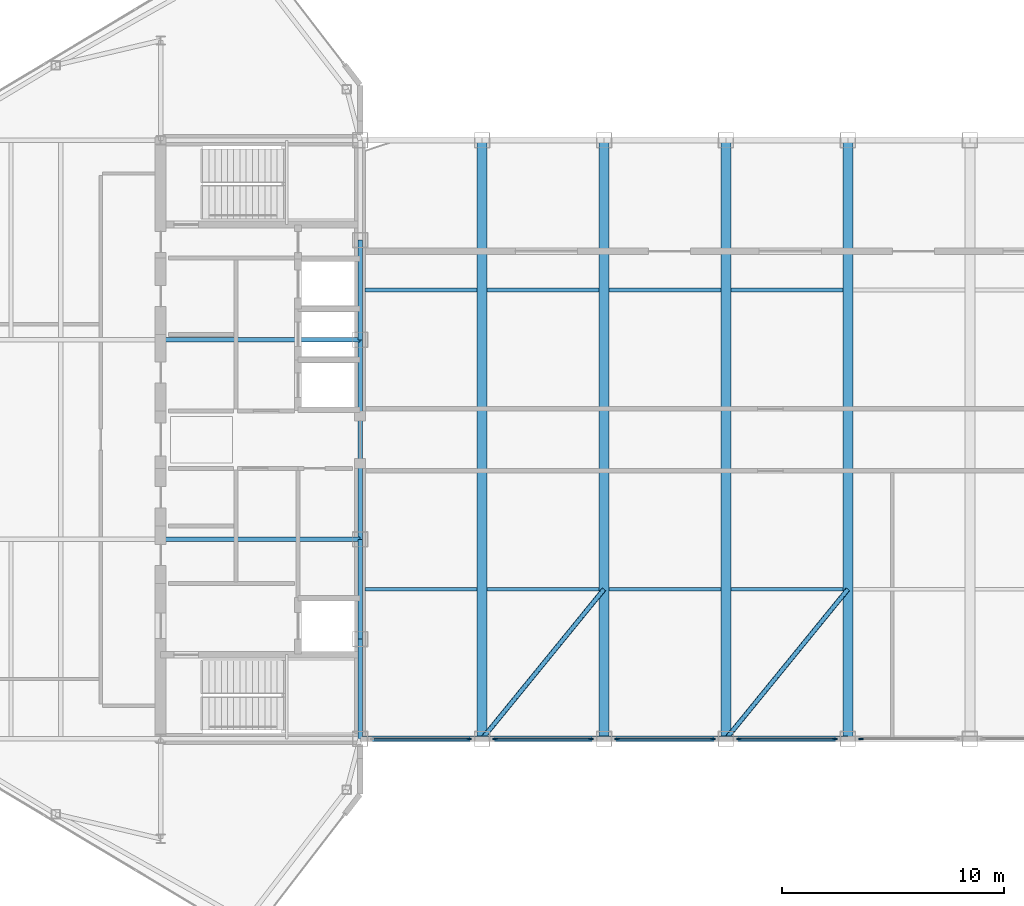
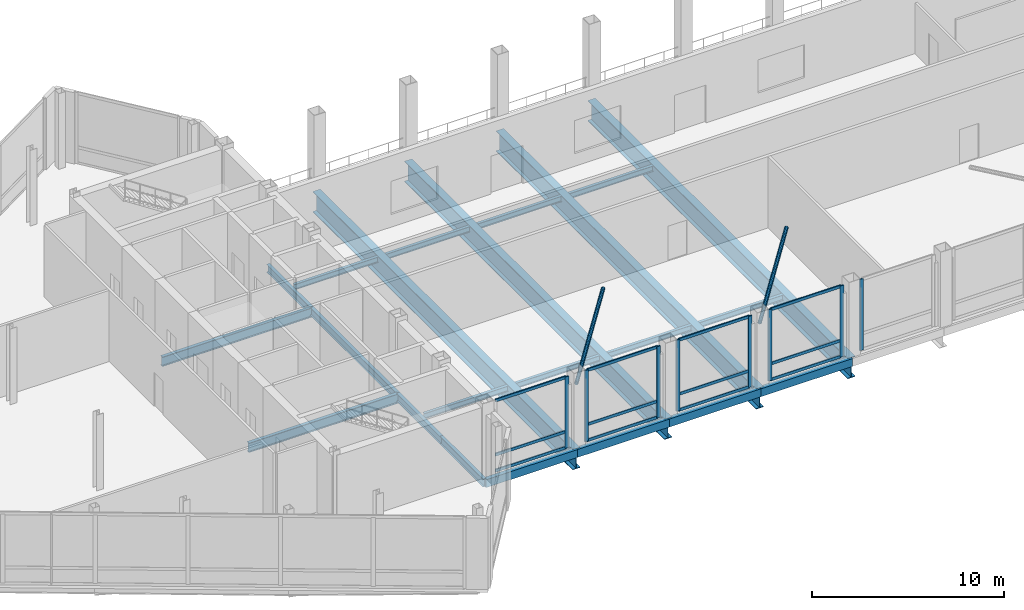
# One storey, part 10 of 28: 22 beams, 22 members, 5 elements without a shape of their own.
"""IFC4 building model written with IfcOpenShell, lengths in metres."""

from ifc_helpers import new_model, si_unit, direction, frame, origin, origin_2d, place, context, subcontext, project, spatial, rectangle, hollow_rectangle, hollow_circle, i_section, extrude, source, transform, mapped, material, layer, layer_set, material_profile, profile_set, type_object, type_shapes, element, aggregate, save


model = new_model("IFC4")

# Units and contexts
model_context = context("Model", 3, precision=1e-05, world=origin(), true_north=direction((0.0, 1.0)))
body_context = subcontext(model_context, "Body", "Model", "MODEL_VIEW")
ifc_project = project(units=[si_unit("LENGTHUNIT", "METRE"), si_unit("AREAUNIT", "SQUARE_METRE"), si_unit("VOLUMEUNIT", "CUBIC_METRE"), si_unit("PLANEANGLEUNIT", "RADIAN"), si_unit("MASSUNIT", "GRAM", prefix="KILO")], contexts=[model_context])

# Site, building, storey
site_placement = place(None, origin())
site = spatial("IfcSite", under=ifc_project, at=site_placement, CompositionType="ELEMENT")
building_placement = place(site_placement, origin())
building = spatial("IfcBuilding", under=site, at=building_placement, Name="Seokmaru Belvedere", CompositionType="ELEMENT")
storey_placement = place(building_placement, frame((0.0, 0.0, 274.199951171875)))
storey = spatial("IfcBuildingStorey", under=building, at=storey_placement, Name="L72", CompositionType="ELEMENT", Elevation=274.199951171875)

# Beams
ifc_material_1 = material(Name="Steel SM355 (355 MPa)", Category="steel")
ifc_material_profile_1 = material_profile(ifc_material_1, i_section(OverallWidth=0.199951171875, OverallDepth=0.5, WebThickness=0.010009765625, FlangeThickness=0.01611328125, at=origin_2d()), Name="H-500x200x10x16")
ifc_profile_set_1 = profile_set([ifc_material_profile_1], Name="Steel SM355 (355 MPa)")
beam_type_1 = type_object("IfcBeamType", Name="Perimeter Spandrel Beam H-500", PredefinedType="SPANDREL", material=ifc_profile_set_1)
shared_shape_1 = source(origin(), body_context, "Body", "SweptSolid", [
    extrude(i_section(OverallWidth=0.199951171875, OverallDepth=0.5, WebThickness=0.010009765625, FlangeThickness=0.01611328125, at=origin_2d()), origin(), (0.0, 0.0, 1.0), 4.5),
])
for number, where, z_axis, x_axis, name in (
    (1, (-27.5, -13.5, -0.510009765625), (0.0, 1.0, 0.0), (-1.0, 0.0, 0.0), "L72 W Portal Spine Spandrel 1"),
    (2, (-27.5, -9.0, -0.510009765625), (0.0, 1.0, 0.0), (-1.0, 0.0, 0.0), "L72 W Portal Spine Spandrel 2"),
    (3, (-27.5, 4.5, -0.510009765625), (0.0, 1.0, 0.0), (-1.0, 0.0, 0.0), "L72 W Portal Spine Spandrel 4"),
):
    element("IfcBeam", number, at=place(storey_placement, frame(where, z_axis=z_axis, x_axis=x_axis)), inside=storey, type_object=beam_type_1, Name=name, PredefinedType="SPANDREL", context=body_context, shape_type="MappedRepresentation", body=[
        mapped(shared_shape_1, transform((0.0, 0.0, 0.0), scale=1.0)),
    ])
shared_shape_2 = source(origin(), body_context, "Body", "SweptSolid", [
    extrude(i_section(OverallWidth=0.199951171875, OverallDepth=0.5, WebThickness=0.010009765625, FlangeThickness=0.01611328125, at=origin_2d()), origin(), (0.0, 0.0, 1.0), 9.0),
])
type_shapes(beam_type_1, [shared_shape_1, shared_shape_2])
beam_placement = place(storey_placement, frame((-27.5, -4.5, -0.510009765625), z_axis=(0.0, 1.0, 0.0), x_axis=(-1.0, 0.0, 0.0)))
element("IfcBeam", 4, at=beam_placement, inside=storey, type_object=beam_type_1, Name="L72 W Portal Spine Spandrel 3", PredefinedType="SPANDREL", context=body_context, shape_type="MappedRepresentation", body=[
    mapped(shared_shape_2, transform((0.0, 0.0, 0.0), scale=1.0)),
])
ifc_material_profile_2 = material_profile(ifc_material_1, i_section(OverallWidth=0.199951171875, OverallDepth=0.60009765625, WebThickness=0.010986328125, FlangeThickness=0.01708984375, at=origin_2d()), Name="H-600x200x11x17")
ifc_profile_set_2 = profile_set([ifc_material_profile_2], Name="Steel SM355 (355 MPa)")
beam_type_2 = type_object("IfcBeamType", Name="Primary Floor Girder H-600", PredefinedType="BEAM", material=ifc_profile_set_2)
shared_shape_3 = source(origin(), body_context, "Body", "SweptSolid", [
    extrude(i_section(OverallWidth=0.199951171875, OverallDepth=0.60009765625, WebThickness=0.010986328125, FlangeThickness=0.01708984375, at=origin_2d()), origin(), (0.0, 0.0, 1.0), 9.0),
])
type_shapes(beam_type_2, [shared_shape_3])
for number, where, z_axis, x_axis, name in (
    (5, (-36.5, -4.5, -0.56005859375), (1.0, 0.0, 0.0), (0.0, 1.0, 0.0), "L72 W Core Tie Girder 2"),
    (6, (-36.5, 4.5, -0.56005859375), (1.0, 0.0, 0.0), (0.0, 1.0, 0.0), "L72 W Core Tie Girder 3"),
):
    element("IfcBeam", number, at=place(storey_placement, frame(where, z_axis=z_axis, x_axis=x_axis)), inside=storey, type_object=beam_type_2, Name=name, PredefinedType="BEAM", context=body_context, shape_type="MappedRepresentation", body=[
        mapped(shared_shape_3, transform((0.0, 0.0, 0.0), scale=1.0)),
    ])
ifc_material_profile_3 = material_profile(ifc_material_1, hollow_rectangle(XDim=0.25, YDim=0.5, WallThickness=0.013916015625, at=origin_2d()), Name="RHS-500x250x14")
ifc_profile_set_3 = profile_set([ifc_material_profile_3], Name="Steel SM355 (355 MPa)")
beam_type_3 = type_object("IfcBeamType", Name="Bridge Edge Spandrel RHS-500", PredefinedType="SPANDREL", material=ifc_profile_set_3)
shared_shape_4 = source(origin(), body_context, "Body", "SweptSolid", [
    extrude(hollow_rectangle(XDim=0.25, YDim=0.5, WallThickness=0.013916015625, at=origin_2d()), origin(), (0.0, 0.0, 1.0), 5.5),
])
type_shapes(beam_type_3, [shared_shape_4])
for number, where, z_axis, x_axis, name in (
    (7, (-27.5, -13.5, -0.510009765625), (1.0, 0.0, 0.0), (0.0, 1.0, 0.0), "L72 Sky-Gate Bridge Edge Girder S-01"),
    (8, (-22.0, -13.5, -0.510009765625), (1.0, 0.0, 0.0), (0.0, 1.0, 0.0), "L72 Sky-Gate Bridge Edge Girder S-02"),
    (9, (-16.5, -13.5, -0.510009765625), (1.0, 0.0, 0.0), (0.0, 1.0, 0.0), "L72 Sky-Gate Bridge Edge Girder S-03"),
    (10, (-11.0, -13.5, -0.510009765625), (1.0, 0.0, 0.0), (0.0, 1.0, 0.0), "L72 Sky-Gate Bridge Edge Girder S-04"),
):
    element("IfcBeam", number, at=place(storey_placement, frame(where, z_axis=z_axis, x_axis=x_axis)), inside=storey, type_object=beam_type_3, Name=name, PredefinedType="SPANDREL", context=body_context, shape_type="MappedRepresentation", body=[
        mapped(shared_shape_4, transform((0.0, 0.0, 0.0), scale=1.0)),
    ])
ifc_material_2 = material(Name="Steel HSA650 (650 MPa)", Category="steel")
ifc_material_profile_4 = material_profile(ifc_material_2, i_section(OverallWidth=0.449951171875, OverallDepth=1.300048828125, WebThickness=0.02197265625, FlangeThickness=0.0380859375, at=origin_2d()), Name="BH-1300x450x22x38")
ifc_profile_set_4 = profile_set([ifc_material_profile_4], Name="Steel HSA650 (650 MPa)")
beam_type_4 = type_object("IfcBeamType", Name="Observatory Long-Span Roof Girder BH-1300", PredefinedType="BEAM", material=ifc_profile_set_4)
shared_shape_5 = source(origin(), body_context, "Body", "SweptSolid", [
    extrude(i_section(OverallWidth=0.449951171875, OverallDepth=1.300048828125, WebThickness=0.02197265625, FlangeThickness=0.0380859375, at=origin_2d()), origin(), (0.0, 0.0, 1.0), 27.0),
])
type_shapes(beam_type_4, [shared_shape_5])
for number, where, z_axis, x_axis, name in (
    (11, (-22.0, -13.5, -0.909912109375), (0.0, 1.0, 0.0), (-1.0, 0.0, 0.0), "L72 Sky-Gate Transverse Girder 01"),
    (12, (-16.5, -13.5, -0.909912109375), (0.0, 1.0, 0.0), (-1.0, 0.0, 0.0), "L72 Sky-Gate Transverse Girder 02"),
    (13, (-11.0, -13.5, -0.909912109375), (0.0, 1.0, 0.0), (-1.0, 0.0, 0.0), "L72 Sky-Gate Transverse Girder 03"),
    (14, (-5.5, -13.5, -0.909912109375), (0.0, 1.0, 0.0), (-1.0, 0.0, 0.0), "L72 Sky-Gate Transverse Girder 04"),
):
    element("IfcBeam", number, at=place(storey_placement, frame(where, z_axis=z_axis, x_axis=x_axis)), inside=storey, type_object=beam_type_4, Name=name, PredefinedType="BEAM", context=body_context, shape_type="MappedRepresentation", body=[
        mapped(shared_shape_5, transform((0.0, 0.0, 0.0), scale=1.0)),
    ])
ifc_material_profile_5 = material_profile(ifc_material_1, i_section(OverallWidth=0.175048828125, OverallDepth=0.35009765625, WebThickness=0.007080078125, FlangeThickness=0.010986328125, at=origin_2d()), Name="H-350x175x7x11")
ifc_profile_set_5 = profile_set([ifc_material_profile_5], Name="Steel SM355 (355 MPa)")
beam_type_5 = type_object("IfcBeamType", Name="Secondary Floor Joist H-300", PredefinedType="JOIST", material=ifc_profile_set_5)
shared_shape_6 = source(origin(), body_context, "Body", "SweptSolid", [
    extrude(i_section(OverallWidth=0.175048828125, OverallDepth=0.35009765625, WebThickness=0.007080078125, FlangeThickness=0.010986328125, at=origin_2d()), origin(), (0.0, 0.0, 1.0), 5.0400390625),
])
type_shapes(beam_type_5, [shared_shape_6])
for number, where, z_axis, x_axis, name in (
    (15, (-27.27001953125, -6.75, -0.43505859375), (1.0, 0.0, 0.0), (0.0, 1.0, 0.0), "L72 Sky-Gate Secondary Joist S-01"),
    (16, (-21.77001953125, -6.75, -0.43505859375), (1.0, 0.0, 0.0), (0.0, 1.0, 0.0), "L72 Sky-Gate Secondary Joist S-02"),
    (17, (-16.27001953125, -6.75, -0.43505859375), (1.0, 0.0, 0.0), (0.0, 1.0, 0.0), "L72 Sky-Gate Secondary Joist S-03"),
    (18, (-10.77001953125, -6.75, -0.43505859375), (1.0, 0.0, 0.0), (0.0, 1.0, 0.0), "L72 Sky-Gate Secondary Joist S-04"),
    (19, (-27.27001953125, 6.75, -0.43505859375), (1.0, 0.0, 0.0), (0.0, 1.0, 0.0), "L72 Sky-Gate Secondary Joist N-01"),
    (20, (-21.77001953125, 6.75, -0.43505859375), (1.0, 0.0, 0.0), (0.0, 1.0, 0.0), "L72 Sky-Gate Secondary Joist N-02"),
    (21, (-16.27001953125, 6.75, -0.43505859375), (1.0, 0.0, 0.0), (0.0, 1.0, 0.0), "L72 Sky-Gate Secondary Joist N-03"),
    (22, (-10.77001953125, 6.75, -0.43505859375), (1.0, 0.0, 0.0), (0.0, 1.0, 0.0), "L72 Sky-Gate Secondary Joist N-04"),
):
    element("IfcBeam", number, at=place(storey_placement, frame(where, z_axis=z_axis, x_axis=x_axis)), inside=storey, type_object=beam_type_5, Name=name, PredefinedType="JOIST", context=body_context, shape_type="MappedRepresentation", body=[
        mapped(shared_shape_6, transform((0.0, 0.0, 0.0), scale=1.0)),
    ])

# Members
ifc_material_profile_6 = material_profile(ifc_material_1, hollow_circle(Radius=0.108154296875, WallThickness=0.00830078125, at=origin_2d()), Name="CHS-216.3x8.2")
ifc_profile_set_6 = profile_set([ifc_material_profile_6], Name="Steel SM355 (355 MPa)")
member_type_1 = type_object("IfcMemberType", Name="Observatory Roof Wind Strut CHS-216", PredefinedType="BRACE", material=ifc_profile_set_6)
shared_shape_7 = source(origin(), body_context, "Body", "SweptSolid", [
    extrude(hollow_circle(Radius=0.108154296875, WallThickness=0.00830078125, at=origin_2d()), origin(), (0.0, 0.0, 1.0), 8.70703125),
])
type_shapes(member_type_1, [shared_shape_7])
for number, where, z_axis, x_axis, name in (
    (23, (-22.0, -13.5, 3.8701171875), (0.631672951162, 0.775234985517, 0.0), (-0.775234985517, 0.631672951162, 0.0), "L72 Observatory Under-Roof Wind Strut 1"),
    (24, (-11.0, -13.5, 3.8701171875), (0.631672951162, 0.775234985517, 0.0), (-0.775234985517, 0.631672951162, 0.0), "L72 Observatory Under-Roof Wind Strut 2"),
):
    element("IfcMember", number, at=place(storey_placement, frame(where, z_axis=z_axis, x_axis=x_axis)), inside=storey, type_object=member_type_1, Name=name, PredefinedType="BRACE", context=body_context, shape_type="MappedRepresentation", body=[
        mapped(shared_shape_7, transform((0.0, 0.0, 0.0), scale=1.0)),
    ])

# Curtain wall, members
ifc_material_3 = material(Name="Bronze Triple Insulating Glass", Category="glass")
ifc_layer = layer(ifc_material_3, 0.219970703125)
ifc_layer_set = layer_set([ifc_layer], Name="Bronze Triple Insulating Glass")
curtain_wall_type = type_object("IfcCurtainWallType", Name="Sky-Gate Bridge Panorama Curtain Wall System CW-6", PredefinedType="NOTDEFINED", material=ifc_layer_set)
curtain_wall_1_placement = place(storey_placement, origin())
curtain_wall_1 = element("IfcCurtainWall", 25, at=curtain_wall_1_placement, inside=storey, type_object=curtain_wall_type, Name="L72 Curtain Wall BR_S01", PredefinedType="NOTDEFINED")
ifc_material_4 = material(Name="Anodised Bronze Aluminium", Category="aluminium")
ifc_material_profile_7 = material_profile(ifc_material_4, rectangle(XDim=0.074951171875, YDim=0.179931640625, at=origin_2d()), Name="CW-T-75x180")
ifc_profile_set_7 = profile_set([ifc_material_profile_7], Name="Anodised Bronze Aluminium")
member_type_2 = type_object("IfcMemberType", Name="Bronze Unitised Transom 75x180", PredefinedType="USERDEFINED", material=ifc_profile_set_7)
shared_shape_8 = source(origin(), body_context, "Body", "SweptSolid", [
    extrude(rectangle(XDim=0.074951171875, YDim=0.179931640625, at=origin_2d()), origin(), (0.0, 0.0, 1.0), 4.240234375),
])
type_shapes(member_type_2, [shared_shape_8])
member_1_placement = place(storey_placement, frame((-26.8701171875, -13.5, 0.03759765625), z_axis=(1.0, 0.0, 0.0), x_axis=(0.0, 1.0, 0.0)))
member_1 = element("IfcMember", 26, at=member_1_placement, type_object=member_type_2, Name="CW:L72:BR_S01 Continuous Transom 1", ObjectType="TRANSOM", PredefinedType="USERDEFINED", context=body_context, shape_type="MappedRepresentation", body=[
    mapped(shared_shape_8, transform((0.0, 0.0, 0.0), scale=1.0)),
])
member_2_placement = place(storey_placement, frame((-26.8701171875, -13.5, 4.482666015625), z_axis=(1.0, 0.0, 0.0), x_axis=(0.0, 1.0, 0.0)))
member_2 = element("IfcMember", 27, at=member_2_placement, type_object=member_type_2, Name="CW:L72:BR_S01 Continuous Transom 2", ObjectType="TRANSOM", PredefinedType="USERDEFINED", context=body_context, shape_type="MappedRepresentation", body=[
    mapped(shared_shape_8, transform((0.0, 0.0, 0.0), scale=1.0)),
])
member_3_placement = place(storey_placement, frame((-26.8701171875, -13.5, 1.050048828125), z_axis=(1.0, 0.0, 0.0), x_axis=(0.0, 1.0, 0.0)))
member_3 = element("IfcMember", 28, at=member_3_placement, type_object=member_type_2, Name="CW:L72:BR_S01 Spandrel Transom 1", ObjectType="TRANSOM", PredefinedType="USERDEFINED", context=body_context, shape_type="MappedRepresentation", body=[
    mapped(shared_shape_8, transform((0.0, 0.0, 0.0), scale=1.0)),
])

curtain_wall_2_placement = place(storey_placement, origin())
curtain_wall_2 = element("IfcCurtainWall", 29, at=curtain_wall_2_placement, inside=storey, type_object=curtain_wall_type, Name="L72 Curtain Wall BR_S02", PredefinedType="NOTDEFINED")
member_4_placement = place(storey_placement, frame((-21.3701171875, -13.5, 0.03759765625), z_axis=(1.0, 0.0, 0.0), x_axis=(0.0, 1.0, 0.0)))
member_4 = element("IfcMember", 30, at=member_4_placement, type_object=member_type_2, Name="CW:L72:BR_S02 Continuous Transom 1", ObjectType="TRANSOM", PredefinedType="USERDEFINED", context=body_context, shape_type="MappedRepresentation", body=[
    mapped(shared_shape_8, transform((0.0, 0.0, 0.0), scale=1.0)),
])
member_5_placement = place(storey_placement, frame((-21.3701171875, -13.5, 4.482666015625), z_axis=(1.0, 0.0, 0.0), x_axis=(0.0, 1.0, 0.0)))
member_5 = element("IfcMember", 31, at=member_5_placement, type_object=member_type_2, Name="CW:L72:BR_S02 Continuous Transom 2", ObjectType="TRANSOM", PredefinedType="USERDEFINED", context=body_context, shape_type="MappedRepresentation", body=[
    mapped(shared_shape_8, transform((0.0, 0.0, 0.0), scale=1.0)),
])
member_6_placement = place(storey_placement, frame((-21.3701171875, -13.5, 1.050048828125), z_axis=(1.0, 0.0, 0.0), x_axis=(0.0, 1.0, 0.0)))
member_6 = element("IfcMember", 32, at=member_6_placement, type_object=member_type_2, Name="CW:L72:BR_S02 Spandrel Transom 1", ObjectType="TRANSOM", PredefinedType="USERDEFINED", context=body_context, shape_type="MappedRepresentation", body=[
    mapped(shared_shape_8, transform((0.0, 0.0, 0.0), scale=1.0)),
])

curtain_wall_3_placement = place(storey_placement, origin())
curtain_wall_3 = element("IfcCurtainWall", 33, at=curtain_wall_3_placement, inside=storey, type_object=curtain_wall_type, Name="L72 Curtain Wall BR_S03", PredefinedType="NOTDEFINED")
member_7_placement = place(storey_placement, frame((-15.8701171875, -13.5, 0.03759765625), z_axis=(1.0, 0.0, 0.0), x_axis=(0.0, 1.0, 0.0)))
member_7 = element("IfcMember", 34, at=member_7_placement, type_object=member_type_2, Name="CW:L72:BR_S03 Continuous Transom 1", ObjectType="TRANSOM", PredefinedType="USERDEFINED", context=body_context, shape_type="MappedRepresentation", body=[
    mapped(shared_shape_8, transform((0.0, 0.0, 0.0), scale=1.0)),
])
member_8_placement = place(storey_placement, frame((-15.8701171875, -13.5, 4.482666015625), z_axis=(1.0, 0.0, 0.0), x_axis=(0.0, 1.0, 0.0)))
member_8 = element("IfcMember", 35, at=member_8_placement, type_object=member_type_2, Name="CW:L72:BR_S03 Continuous Transom 2", ObjectType="TRANSOM", PredefinedType="USERDEFINED", context=body_context, shape_type="MappedRepresentation", body=[
    mapped(shared_shape_8, transform((0.0, 0.0, 0.0), scale=1.0)),
])
member_9_placement = place(storey_placement, frame((-15.8701171875, -13.5, 1.050048828125), z_axis=(1.0, 0.0, 0.0), x_axis=(0.0, 1.0, 0.0)))
member_9 = element("IfcMember", 36, at=member_9_placement, type_object=member_type_2, Name="CW:L72:BR_S03 Spandrel Transom 1", ObjectType="TRANSOM", PredefinedType="USERDEFINED", context=body_context, shape_type="MappedRepresentation", body=[
    mapped(shared_shape_8, transform((0.0, 0.0, 0.0), scale=1.0)),
])

curtain_wall_4_placement = place(storey_placement, origin())
curtain_wall_4 = element("IfcCurtainWall", 37, at=curtain_wall_4_placement, inside=storey, type_object=curtain_wall_type, Name="L72 Curtain Wall BR_S04", PredefinedType="NOTDEFINED")
member_10_placement = place(storey_placement, frame((-10.3701171875, -13.5, 0.03759765625), z_axis=(1.0, 0.0, 0.0), x_axis=(0.0, 1.0, 0.0)))
member_10 = element("IfcMember", 38, at=member_10_placement, type_object=member_type_2, Name="CW:L72:BR_S04 Continuous Transom 1", ObjectType="TRANSOM", PredefinedType="USERDEFINED", context=body_context, shape_type="MappedRepresentation", body=[
    mapped(shared_shape_8, transform((0.0, 0.0, 0.0), scale=1.0)),
])
member_11_placement = place(storey_placement, frame((-10.3701171875, -13.5, 4.482666015625), z_axis=(1.0, 0.0, 0.0), x_axis=(0.0, 1.0, 0.0)))
member_11 = element("IfcMember", 39, at=member_11_placement, type_object=member_type_2, Name="CW:L72:BR_S04 Continuous Transom 2", ObjectType="TRANSOM", PredefinedType="USERDEFINED", context=body_context, shape_type="MappedRepresentation", body=[
    mapped(shared_shape_8, transform((0.0, 0.0, 0.0), scale=1.0)),
])
member_12_placement = place(storey_placement, frame((-10.3701171875, -13.5, 1.050048828125), z_axis=(1.0, 0.0, 0.0), x_axis=(0.0, 1.0, 0.0)))
member_12 = element("IfcMember", 40, at=member_12_placement, type_object=member_type_2, Name="CW:L72:BR_S04 Spandrel Transom 1", ObjectType="TRANSOM", PredefinedType="USERDEFINED", context=body_context, shape_type="MappedRepresentation", body=[
    mapped(shared_shape_8, transform((0.0, 0.0, 0.0), scale=1.0)),
])

# Member
ifc_material_profile_8 = material_profile(ifc_material_4, rectangle(XDim=0.080078125, YDim=0.219970703125, at=origin_2d()), Name="CW-M-80x220")
ifc_profile_set_8 = profile_set([ifc_material_profile_8], Name="Anodised Bronze Aluminium")
member_type_3 = type_object("IfcMemberType", Name="Bronze Unitised Mullion 80x220", PredefinedType="MULLION", material=ifc_profile_set_8)
shared_shape_9 = source(origin(), body_context, "Body", "SweptSolid", [
    extrude(rectangle(XDim=0.080078125, YDim=0.219970703125, at=origin_2d()), origin(), (0.0, 0.0, 1.0), 4.52001953125),
])
type_shapes(member_type_3, [shared_shape_9])
member_13_placement = place(storey_placement, frame((-22.590087890625, -13.5, 0.0), z_axis=(0.0, 0.0, 1.0), x_axis=(0.0, 1.0, 0.0)))
member_13 = element("IfcMember", 41, at=member_13_placement, type_object=member_type_3, Name="CW:L72:BR_S01 Mullion 2", PredefinedType="MULLION", context=body_context, shape_type="MappedRepresentation", body=[
    mapped(shared_shape_9, transform((0.0, 0.0, 0.0), scale=1.0)),
])

aggregate(curtain_wall_1, [member_13, member_1, member_2, member_3])

member_14_placement = place(storey_placement, frame((-21.409912109375, -13.5, 0.0), z_axis=(0.0, 0.0, 1.0), x_axis=(0.0, 1.0, 0.0)))
member_14 = element("IfcMember", 42, at=member_14_placement, type_object=member_type_3, Name="CW:L72:BR_S02 Mullion 1", PredefinedType="MULLION", context=body_context, shape_type="MappedRepresentation", body=[
    mapped(shared_shape_9, transform((0.0, 0.0, 0.0), scale=1.0)),
])

member_15_placement = place(storey_placement, frame((-17.090087890625, -13.5, 0.0), z_axis=(0.0, 0.0, 1.0), x_axis=(0.0, 1.0, 0.0)))
member_15 = element("IfcMember", 43, at=member_15_placement, type_object=member_type_3, Name="CW:L72:BR_S02 Mullion 2", PredefinedType="MULLION", context=body_context, shape_type="MappedRepresentation", body=[
    mapped(shared_shape_9, transform((0.0, 0.0, 0.0), scale=1.0)),
])

aggregate(curtain_wall_2, [member_14, member_15, member_4, member_5, member_6])

member_16_placement = place(storey_placement, frame((-15.909912109375, -13.5, 0.0), z_axis=(0.0, 0.0, 1.0), x_axis=(0.0, 1.0, 0.0)))
member_16 = element("IfcMember", 44, at=member_16_placement, type_object=member_type_3, Name="CW:L72:BR_S03 Mullion 1", PredefinedType="MULLION", context=body_context, shape_type="MappedRepresentation", body=[
    mapped(shared_shape_9, transform((0.0, 0.0, 0.0), scale=1.0)),
])

member_17_placement = place(storey_placement, frame((-11.590087890625, -13.5, 0.0), z_axis=(0.0, 0.0, 1.0), x_axis=(0.0, 1.0, 0.0)))
member_17 = element("IfcMember", 45, at=member_17_placement, type_object=member_type_3, Name="CW:L72:BR_S03 Mullion 2", PredefinedType="MULLION", context=body_context, shape_type="MappedRepresentation", body=[
    mapped(shared_shape_9, transform((0.0, 0.0, 0.0), scale=1.0)),
])

aggregate(curtain_wall_3, [member_16, member_17, member_7, member_8, member_9])

member_18_placement = place(storey_placement, frame((-10.409912109375, -13.5, 0.0), z_axis=(0.0, 0.0, 1.0), x_axis=(0.0, 1.0, 0.0)))
member_18 = element("IfcMember", 46, at=member_18_placement, type_object=member_type_3, Name="CW:L72:BR_S04 Mullion 1", PredefinedType="MULLION", context=body_context, shape_type="MappedRepresentation", body=[
    mapped(shared_shape_9, transform((0.0, 0.0, 0.0), scale=1.0)),
])

member_19_placement = place(storey_placement, frame((-6.090087890625, -13.5, 0.0), z_axis=(0.0, 0.0, 1.0), x_axis=(0.0, 1.0, 0.0)))
member_19 = element("IfcMember", 47, at=member_19_placement, type_object=member_type_3, Name="CW:L72:BR_S04 Mullion 2", PredefinedType="MULLION", context=body_context, shape_type="MappedRepresentation", body=[
    mapped(shared_shape_9, transform((0.0, 0.0, 0.0), scale=1.0)),
])

aggregate(curtain_wall_4, [member_18, member_19, member_10, member_11, member_12])

# Curtain wall, member
curtain_wall_5_placement = place(storey_placement, origin())
curtain_wall_5 = element("IfcCurtainWall", 48, at=curtain_wall_5_placement, inside=storey, type_object=curtain_wall_type, Name="L72 Curtain Wall BR_S05", PredefinedType="NOTDEFINED")
member_20_placement = place(storey_placement, frame((-4.909912109375, -13.5, 0.0), z_axis=(0.0, 0.0, 1.0), x_axis=(0.0, 1.0, 0.0)))
member_20 = element("IfcMember", 49, at=member_20_placement, type_object=member_type_3, Name="CW:L72:BR_S05 Mullion 1", PredefinedType="MULLION", context=body_context, shape_type="MappedRepresentation", body=[
    mapped(shared_shape_9, transform((0.0, 0.0, 0.0), scale=1.0)),
])
aggregate(curtain_wall_5, [member_20])

save(model, "model.ifc")
